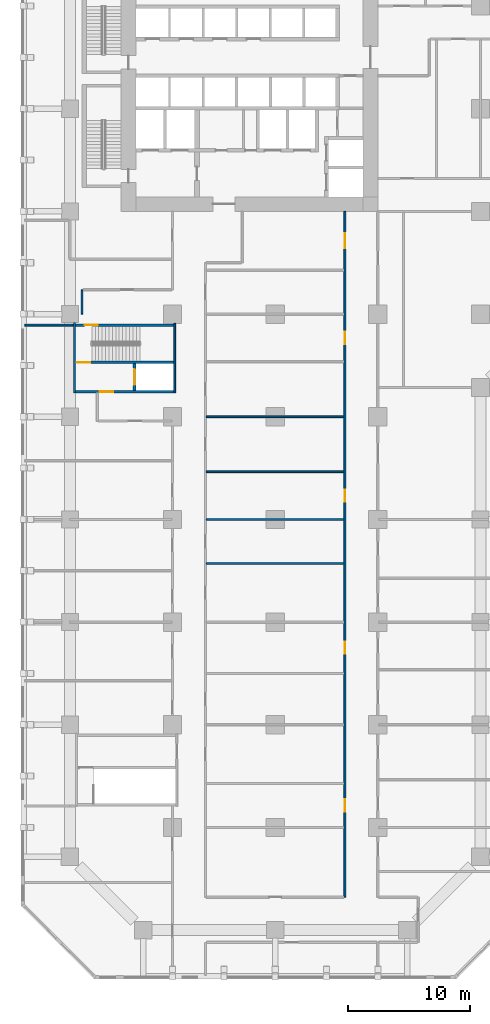
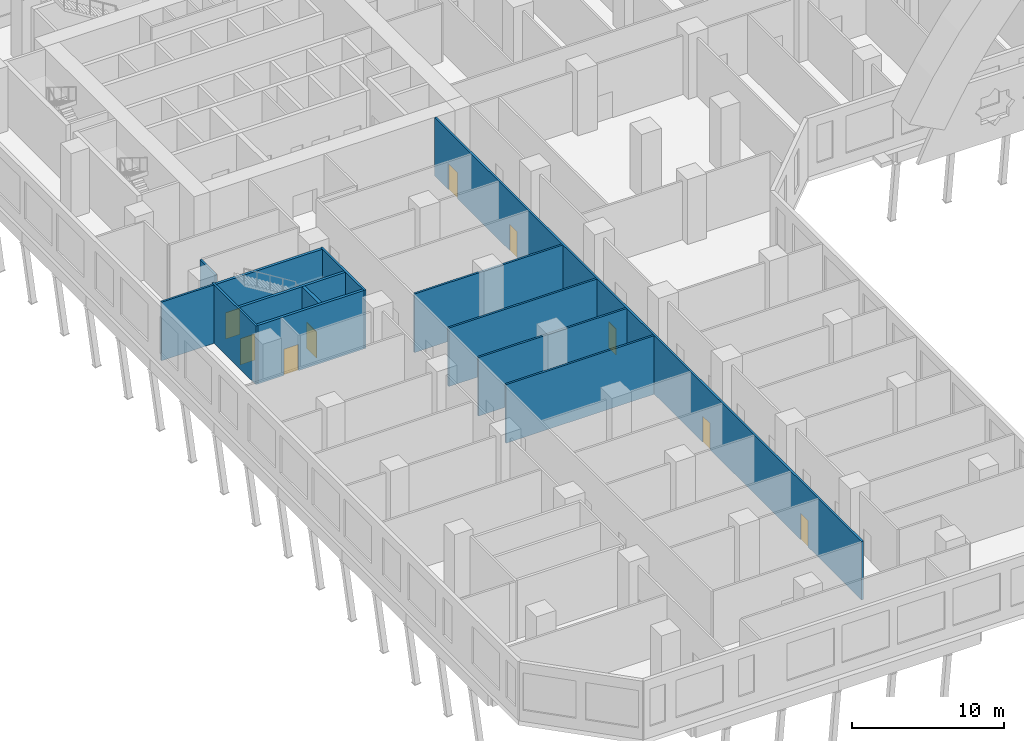
# One storey, part 7 of 25: 13 walls, 9 doors, 9 openings.
"""IFC4 building model written with IfcOpenShell, lengths in metres."""

from ifc_helpers import new_model, si_unit, direction, frame, frame_2d, origin, place, context, subcontext, project, spatial, rectangle, extrude, material, layer, layer_set, type_object, element, fill, save


model = new_model("IFC4")

# Units and contexts
model_context = context("Model", 3, precision=1e-05, world=origin(), true_north=direction((0.0, 1.0)))
body_context = subcontext(model_context, "Body", "Model", "MODEL_VIEW")
ifc_project = project(units=[si_unit("LENGTHUNIT", "METRE"), si_unit("AREAUNIT", "SQUARE_METRE"), si_unit("VOLUMEUNIT", "CUBIC_METRE"), si_unit("PLANEANGLEUNIT", "RADIAN"), si_unit("MASSUNIT", "GRAM", prefix="KILO")], contexts=[model_context])

# Site, building, storey
site_placement = place(None, origin())
site = spatial("IfcSite", under=ifc_project, at=site_placement, CompositionType="ELEMENT")
building_placement = place(site_placement, origin())
building = spatial("IfcBuilding", under=site, at=building_placement, Name="Kawkab Arch Medical Tower", CompositionType="ELEMENT")
storey_placement = place(building_placement, frame((0.0, 0.0, 29.0)))
storey = spatial("IfcBuildingStorey", under=building, at=storey_placement, Name="L06", CompositionType="ELEMENT", Elevation=29.0)

# Wall, opening, door
ifc_material_1 = material(Name="Concrete C60/75", Category="concrete")
ifc_layer_1 = layer(ifc_material_1, 0.25)
ifc_layer_set_1 = layer_set([ifc_layer_1], Name="Concrete C60/75")
wall_type_1 = type_object("IfcWallType", Name="Core shear wall 250 C60/75", PredefinedType="SHEAR", material=ifc_layer_set_1)
wall_1_placement = place(storey_placement, frame((5.300048828125, -39.85009765625, 0.0), z_axis=(0.0, 0.0, 1.0), x_axis=(0.0, 1.0, 0.0)))
wall_1 = element("IfcWall", 1, at=wall_1_placement, inside=storey, type_object=wall_type_1, Name="L06 core shear wall", PredefinedType="SHEAR", context=body_context, shape_type="SweptSolid", body=[
    extrude(rectangle(XDim=2.2001953125, YDim=0.25, at=frame_2d((1.10009765625, 0.0))), origin(), (0.0, 0.0, 1.0), 4.699951171875),
])
opening_1_placement = place(wall_1_placement, frame((0.449951171875, 0.0, 0.0)))
opening_1 = element("IfcOpeningElement", 2, at=opening_1_placement, cuts=wall_1, Name="Opening LD2", PredefinedType="OPENING", context=body_context, shape_type="SweptSolid", body=[
    extrude(rectangle(XDim=1.300048828125, YDim=2.10009765625, at=frame_2d((0.64990234375, 1.050048828125))), frame((0.0, 0.135009765625, 0.0), z_axis=(0.0, -1.0, 0.0), x_axis=(1.0, 0.0, 0.0)), (0.0, 0.0, 1.0), 0.27001953125),
])
ifc_material_2 = material(Name="Stainless steel lift door leaf", Category="steel")
door_type_1 = type_object("IfcDoorType", Name="Lift landing door 1300", OperationType="DOUBLE_DOOR_SLIDING", PredefinedType="DOOR", material=ifc_material_2)
door_1_placement = place(opening_1_placement, origin())
door_1 = element("IfcDoor", 3, at=door_1_placement, inside=storey, type_object=door_type_1, Name="L06 Lift landing door SV2", OperationType="DOUBLE_DOOR_SLIDING", OverallHeight=2.10009765625, OverallWidth=1.300048828125, PredefinedType="DOOR", context=body_context, shape_type="SweptSolid", body=[
    extrude(rectangle(XDim=1.300048828125, YDim=2.10009765625, at=frame_2d((0.64990234375, 1.050048828125))), frame((0.0, 0.02490234375, 0.0), z_axis=(0.0, -1.0, 0.0), x_axis=(1.0, 0.0, 0.0)), (0.0, 0.0, 1.0), 0.050048828125),
])
fill(opening_1, door_1)

# Walls
ifc_material_3 = material(Name="Gypsum board partition on steel studs, mineral wool", Category="steel")
ifc_layer_2 = layer(ifc_material_3, 0.14990234375)
ifc_layer_set_2 = layer_set([ifc_layer_2], Name="Gypsum board partition on steel studs, mineral wool")
wall_type_2 = type_object("IfcWallType", Name="Partition 150", PredefinedType="PARTITIONING", material=ifc_layer_set_2)
for number, where, z_axis, x_axis, name in (
    (4, (11.175048828125, -54.0, 0.0), (0.0, 0.0, 1.0), (1.0, 0.0, 0.0), "Partition 150 w025"),
    (5, (11.175048828125, -50.39990234375, 0.0), (0.0, 0.0, 1.0), (1.0, 0.0, 0.0), "Partition 150 w028"),
    (6, (11.175048828125, -46.5, 0.0), (0.0, 0.0, 1.0), (1.0, 0.0, 0.0), "Partition 150 w030"),
    (7, (11.175048828125, -42.0, 0.0), (0.0, 0.0, 1.0), (1.0, 0.0, 0.0), "Partition 150 w033"),
):
    element("IfcWall", number, at=place(storey_placement, frame(where, z_axis=z_axis, x_axis=x_axis)), inside=storey, type_object=wall_type_2, Name=name, PredefinedType="PARTITIONING", context=body_context, shape_type="SweptSolid", body=[
        extrude(rectangle(XDim=11.25, YDim=0.14990234375, at=frame_2d((5.625, 0.0))), origin(), (0.0, 0.0, 1.0), 4.699951171875),
    ])
wall_2_placement = place(storey_placement, frame((-3.679931640625, -34.5, 0.0), z_axis=(0.0, 0.0, 1.0), x_axis=(1.0, 0.0, 0.0)))
element("IfcWall", 8, at=wall_2_placement, inside=storey, type_object=wall_type_2, Name="Partition 150 w036", PredefinedType="PARTITIONING", context=body_context, shape_type="SweptSolid", body=[
    extrude(rectangle(XDim=3.949951171875, YDim=0.14990234375, at=frame_2d((1.97509765625, 0.0))), origin(), (0.0, 0.0, 1.0), 4.699951171875),
])
wall_3_placement = place(storey_placement, frame((1.0, -33.60009765625, 0.0), z_axis=(0.0, 0.0, 1.0), x_axis=(0.0, 1.0, 0.0)))
element("IfcWall", 9, at=wall_3_placement, inside=storey, type_object=wall_type_2, Name="Partition 150 w059", PredefinedType="PARTITIONING", context=body_context, shape_type="SweptSolid", body=[
    extrude(rectangle(XDim=1.989990234375, YDim=0.14990234375, at=frame_2d((0.9951171875, 0.0))), origin(), (0.0, 0.0, 1.0), 4.699951171875),
])

# Wall, openings, doors
wall_4_placement = place(storey_placement, frame((22.5, -81.300048828125, 0.0), z_axis=(0.0, 0.0, 1.0), x_axis=(0.0, 1.0, 0.0)))
wall_4 = element("IfcWall", 10, at=wall_4_placement, inside=storey, type_object=wall_type_2, Name="Partition 150 w067", PredefinedType="PARTITIONING", context=body_context, shape_type="SweptSolid", body=[
    extrude(rectangle(XDim=56.10009765625, YDim=0.14990234375, at=frame_2d((28.050048828125, 0.0))), origin(), (0.0, 0.0, 1.0), 4.699951171875),
])
opening_2_placement = place(wall_4_placement, frame((53.10009765625, 0.0, 0.0)))
opening_2 = element("IfcOpeningElement", 11, at=opening_2_placement, cuts=wall_4, Name="Opening P06-081", PredefinedType="OPENING", context=body_context, shape_type="SweptSolid", body=[
    extrude(rectangle(XDim=1.199951171875, YDim=2.10009765625, at=frame_2d((0.60009765625, 1.050048828125))), frame((0.0, 0.0849609375, 0.0), z_axis=(0.0, -1.0, 0.0), x_axis=(1.0, 0.0, 0.0)), (0.0, 0.0, 1.0), 0.169921875),
])
opening_3_placement = place(wall_4_placement, frame((45.25, 0.0, 0.0)))
opening_3 = element("IfcOpeningElement", 12, at=opening_3_placement, cuts=wall_4, Name="Opening P06-054", PredefinedType="OPENING", context=body_context, shape_type="SweptSolid", body=[
    extrude(rectangle(XDim=1.0, YDim=2.10009765625, at=frame_2d((0.5, 1.050048828125))), frame((0.0, 0.0849609375, 0.0), z_axis=(0.0, -1.0, 0.0), x_axis=(1.0, 0.0, 0.0)), (0.0, 0.0, 1.0), 0.169921875),
])
opening_4_placement = place(wall_4_placement, frame((32.35009765625, 0.0, 0.0)))
opening_4 = element("IfcOpeningElement", 13, at=opening_4_placement, cuts=wall_4, Name="Opening P06-057", PredefinedType="OPENING", context=body_context, shape_type="SweptSolid", body=[
    extrude(rectangle(XDim=1.0, YDim=2.10009765625, at=frame_2d((0.5, 1.050048828125))), frame((0.0, 0.0849609375, 0.0), z_axis=(0.0, -1.0, 0.0), x_axis=(1.0, 0.0, 0.0)), (0.0, 0.0, 1.0), 0.169921875),
])
opening_5_placement = place(wall_4_placement, frame((19.89990234375, 0.0, 0.0)))
opening_5 = element("IfcOpeningElement", 14, at=opening_5_placement, cuts=wall_4, Name="Opening P06-060", PredefinedType="OPENING", context=body_context, shape_type="SweptSolid", body=[
    extrude(rectangle(XDim=1.0, YDim=2.10009765625, at=frame_2d((0.5, 1.050048828125))), frame((0.0, 0.0849609375, 0.0), z_axis=(0.0, -1.0, 0.0), x_axis=(1.0, 0.0, 0.0)), (0.0, 0.0, 1.0), 0.169921875),
])
opening_6_placement = place(wall_4_placement, frame((7.0, 0.0, 0.0)))
opening_6 = element("IfcOpeningElement", 15, at=opening_6_placement, cuts=wall_4, Name="Opening P06-063", PredefinedType="OPENING", context=body_context, shape_type="SweptSolid", body=[
    extrude(rectangle(XDim=1.0, YDim=2.10009765625, at=frame_2d((0.5, 1.050048828125))), frame((0.0, 0.0849609375, 0.0), z_axis=(0.0, -1.0, 0.0), x_axis=(1.0, 0.0, 0.0)), (0.0, 0.0, 1.0), 0.169921875),
])
ifc_material_4 = material(Name="Hollow metal door leaf")
door_type_2 = type_object("IfcDoorType", Name="Single door 1000x2100 FD30S", OperationType="NOTDEFINED", PredefinedType="DOOR", material=ifc_material_4)
door_2_placement = place(opening_3_placement, origin())
door_2 = element("IfcDoor", 16, at=door_2_placement, inside=storey, type_object=door_type_2, Name="Door P06-054", OperationType="SINGLE_SWING_RIGHT", OverallHeight=2.10009765625, OverallWidth=1.0, PredefinedType="DOOR", context=body_context, shape_type="SweptSolid", body=[
    extrude(rectangle(XDim=1.0, YDim=2.10009765625, at=frame_2d((0.5, 1.050048828125))), frame((0.0, 0.02490234375, 0.0), z_axis=(0.0, -1.0, 0.0), x_axis=(1.0, 0.0, 0.0)), (0.0, 0.0, 1.0), 0.050048828125),
])
fill(opening_3, door_2)
door_3_placement = place(opening_4_placement, origin())
door_3 = element("IfcDoor", 17, at=door_3_placement, inside=storey, type_object=door_type_2, Name="Door P06-057", OperationType="SINGLE_SWING_RIGHT", OverallHeight=2.10009765625, OverallWidth=1.0, PredefinedType="DOOR", context=body_context, shape_type="SweptSolid", body=[
    extrude(rectangle(XDim=1.0, YDim=2.10009765625, at=frame_2d((0.5, 1.050048828125))), frame((0.0, 0.02490234375, 0.0), z_axis=(0.0, -1.0, 0.0), x_axis=(1.0, 0.0, 0.0)), (0.0, 0.0, 1.0), 0.050048828125),
])
fill(opening_4, door_3)
door_4_placement = place(opening_5_placement, origin())
door_4 = element("IfcDoor", 18, at=door_4_placement, inside=storey, type_object=door_type_2, Name="Door P06-060", OperationType="SINGLE_SWING_LEFT", OverallHeight=2.10009765625, OverallWidth=1.0, PredefinedType="DOOR", context=body_context, shape_type="SweptSolid", body=[
    extrude(rectangle(XDim=1.0, YDim=2.10009765625, at=frame_2d((0.5, 1.050048828125))), frame((0.0, 0.02490234375, 0.0), z_axis=(0.0, -1.0, 0.0), x_axis=(1.0, 0.0, 0.0)), (0.0, 0.0, 1.0), 0.050048828125),
])
fill(opening_5, door_4)
door_5_placement = place(opening_6_placement, origin())
door_5 = element("IfcDoor", 19, at=door_5_placement, inside=storey, type_object=door_type_2, Name="Door P06-063", OperationType="SINGLE_SWING_LEFT", OverallHeight=2.10009765625, OverallWidth=1.0, PredefinedType="DOOR", context=body_context, shape_type="SweptSolid", body=[
    extrude(rectangle(XDim=1.0, YDim=2.10009765625, at=frame_2d((0.5, 1.050048828125))), frame((0.0, 0.02490234375, 0.0), z_axis=(0.0, -1.0, 0.0), x_axis=(1.0, 0.0, 0.0)), (0.0, 0.0, 1.0), 0.050048828125),
])
fill(opening_6, door_5)
ifc_material_5 = material(Name="Hollow metal door leaf")
door_type_3 = type_object("IfcDoorType", Name="Single door 1200x2100 FD30S", OperationType="NOTDEFINED", PredefinedType="DOOR", material=ifc_material_5)
door_6_placement = place(opening_2_placement, origin())
door_6 = element("IfcDoor", 20, at=door_6_placement, inside=storey, type_object=door_type_3, Name="Door P06-081", OperationType="SINGLE_SWING_RIGHT", OverallHeight=2.10009765625, OverallWidth=1.199951171875, PredefinedType="DOOR", context=body_context, shape_type="SweptSolid", body=[
    extrude(rectangle(XDim=1.199951171875, YDim=2.10009765625, at=frame_2d((0.60009765625, 1.050048828125))), frame((0.0, 0.02490234375, 0.0), z_axis=(0.0, -1.0, 0.0), x_axis=(1.0, 0.0, 0.0)), (0.0, 0.0, 1.0), 0.050048828125),
])
fill(opening_2, door_6)

# Walls
ifc_material_6 = material(Name="Concrete C50/60", Category="concrete")
ifc_layer_3 = layer(ifc_material_6, 0.14990234375)
ifc_layer_set_3 = layer_set([ifc_layer_3], Name="Concrete C50/60")
wall_type_3 = type_object("IfcWallType", Name="Stair enclosure wall 150 C50/60", PredefinedType="SHEAR", material=ifc_layer_set_3)
wall_5_placement = place(storey_placement, frame((0.375, -40.050048828125, 0.0), z_axis=(0.0, 0.0, 1.0), x_axis=(0.0, 1.0, 0.0)))
element("IfcWall", 21, at=wall_5_placement, inside=storey, type_object=wall_type_3, Name="L06 stair enclosure wall", PredefinedType="SHEAR", context=body_context, shape_type="SweptSolid", body=[
    extrude(rectangle(XDim=5.75, YDim=0.14990234375, at=frame_2d((2.875, 0.0))), origin(), (0.0, 0.0, 1.0), 4.699951171875),
])
wall_6_placement = place(storey_placement, frame((8.574951171875, -40.050048828125, 0.0), z_axis=(0.0, 0.0, 1.0), x_axis=(0.0, 1.0, 0.0)))
element("IfcWall", 22, at=wall_6_placement, inside=storey, type_object=wall_type_3, Name="L06 stair enclosure wall", PredefinedType="SHEAR", context=body_context, shape_type="SweptSolid", body=[
    extrude(rectangle(XDim=5.699951171875, YDim=0.14990234375, at=frame_2d((2.85009765625, 0.0))), origin(), (0.0, 0.0, 1.0), 4.699951171875),
])

# Wall, opening, door
ifc_material_7 = material(Name="Concrete C50/60", Category="concrete")
ifc_layer_4 = layer(ifc_material_7, 0.199951171875)
ifc_layer_set_4 = layer_set([ifc_layer_4], Name="Concrete C50/60")
wall_type_4 = type_object("IfcWallType", Name="Stair enclosure wall 200 C50/60", PredefinedType="SHEAR", material=ifc_layer_set_4)
wall_7_placement = place(storey_placement, frame((0.449951171875, -34.5, 0.0), z_axis=(0.0, 0.0, 1.0), x_axis=(1.0, 0.0, 0.0)))
wall_7 = element("IfcWall", 23, at=wall_7_placement, inside=storey, type_object=wall_type_4, Name="L06 stair enclosure wall", PredefinedType="SHEAR", context=body_context, shape_type="SweptSolid", body=[
    extrude(rectangle(XDim=8.050048828125, YDim=0.199951171875, at=frame_2d((4.02490234375, 0.0))), origin(), (0.0, 0.0, 1.0), 4.699951171875),
])
opening_7_placement = place(wall_7_placement, frame((0.75, 0.0, 0.0)))
opening_7 = element("IfcOpeningElement", 24, at=opening_7_placement, cuts=wall_7, Name="Opening SD", PredefinedType="OPENING", context=body_context, shape_type="SweptSolid", body=[
    extrude(rectangle(XDim=1.10009765625, YDim=2.10009765625, at=frame_2d((0.550048828125, 1.050048828125))), frame((0.0, 0.10986328125, 0.0), z_axis=(0.0, -1.0, 0.0), x_axis=(1.0, 0.0, 0.0)), (0.0, 0.0, 1.0), 0.219970703125),
])
ifc_material_8 = material(Name="Hollow metal fire door leaf")
door_type_4 = type_object("IfcDoorType", Name="Exit stair door 1100", OperationType="SINGLE_SWING_LEFT", PredefinedType="DOOR", material=ifc_material_8)
door_7_placement = place(opening_7_placement, origin())
door_7 = element("IfcDoor", 25, at=door_7_placement, inside=storey, type_object=door_type_4, Name="L06 Exit stair ST6 door", OperationType="SINGLE_SWING_LEFT", OverallHeight=2.10009765625, OverallWidth=1.10009765625, PredefinedType="DOOR", context=body_context, shape_type="SweptSolid", body=[
    extrude(rectangle(XDim=1.10009765625, YDim=2.10009765625, at=frame_2d((0.550048828125, 1.050048828125))), frame((0.0, 0.02490234375, 0.0), z_axis=(0.0, -1.0, 0.0), x_axis=(1.0, 0.0, 0.0)), (0.0, 0.0, 1.0), 0.050048828125),
])
fill(opening_7, door_7)

wall_8_placement = place(storey_placement, frame((0.449951171875, -37.550048828125, 0.0), z_axis=(0.0, 0.0, 1.0), x_axis=(1.0, 0.0, 0.0)))
wall_8 = element("IfcWall", 26, at=wall_8_placement, inside=storey, type_object=wall_type_4, Name="L06 stair enclosure wall", PredefinedType="SHEAR", context=body_context, shape_type="SweptSolid", body=[
    extrude(rectangle(XDim=8.050048828125, YDim=0.199951171875, at=frame_2d((4.02490234375, 0.0))), origin(), (0.0, 0.0, 1.0), 4.699951171875),
])
opening_8_placement = place(wall_8_placement, frame((0.10009765625, 0.0, 0.0)))
opening_8 = element("IfcOpeningElement", 27, at=opening_8_placement, cuts=wall_8, Name="Opening SD", PredefinedType="OPENING", context=body_context, shape_type="SweptSolid", body=[
    extrude(rectangle(XDim=1.10009765625, YDim=2.10009765625, at=frame_2d((0.550048828125, 1.050048828125))), frame((0.0, 0.10986328125, 0.0), z_axis=(0.0, -1.0, 0.0), x_axis=(1.0, 0.0, 0.0)), (0.0, 0.0, 1.0), 0.219970703125),
])
door_8_placement = place(opening_8_placement, frame((1.10009765625, 0.0, 0.0), z_axis=(0.0, 0.0, 1.0), x_axis=(-1.0, 0.0, 0.0)))
door_8 = element("IfcDoor", 28, at=door_8_placement, inside=storey, type_object=door_type_4, Name="L06 Exit stair ST6 lobby door", OperationType="SINGLE_SWING_LEFT", OverallHeight=2.10009765625, OverallWidth=1.10009765625, PredefinedType="DOOR", context=body_context, shape_type="SweptSolid", body=[
    extrude(rectangle(XDim=1.10009765625, YDim=2.10009765625, at=frame_2d((0.550048828125, 1.050048828125))), frame((0.0, 0.02490234375, 0.0), z_axis=(0.0, -1.0, 0.0), x_axis=(1.0, 0.0, 0.0)), (0.0, 0.0, 1.0), 0.050048828125),
])
fill(opening_8, door_8)

wall_9_placement = place(storey_placement, frame((0.449951171875, -39.949951171875, 0.0), z_axis=(0.0, 0.0, 1.0), x_axis=(1.0, 0.0, 0.0)))
wall_9 = element("IfcWall", 29, at=wall_9_placement, inside=storey, type_object=wall_type_4, Name="L06 stair enclosure wall", PredefinedType="SHEAR", context=body_context, shape_type="SweptSolid", body=[
    extrude(rectangle(XDim=8.050048828125, YDim=0.199951171875, at=frame_2d((4.02490234375, 0.0))), origin(), (0.0, 0.0, 1.0), 4.699951171875),
])
opening_9_placement = place(wall_9_placement, frame((2.0, 0.0, 0.0)))
opening_9 = element("IfcOpeningElement", 30, at=opening_9_placement, cuts=wall_9, Name="Opening FD", PredefinedType="OPENING", context=body_context, shape_type="SweptSolid", body=[
    extrude(rectangle(XDim=1.10009765625, YDim=2.10009765625, at=frame_2d((0.550048828125, 1.050048828125))), frame((0.0, 0.10986328125, 0.0), z_axis=(0.0, -1.0, 0.0), x_axis=(1.0, 0.0, 0.0)), (0.0, 0.0, 1.0), 0.219970703125),
])
ifc_material_9 = material(Name="Hollow metal fire door leaf")
door_type_5 = type_object("IfcDoorType", Name="Firefighting lobby door 1100", OperationType="SINGLE_SWING_LEFT", PredefinedType="DOOR", material=ifc_material_9)
door_9_placement = place(opening_9_placement, origin())
door_9 = element("IfcDoor", 31, at=door_9_placement, inside=storey, type_object=door_type_5, Name="L06 Service lift lobby door SV2", OperationType="SINGLE_SWING_LEFT", OverallHeight=2.10009765625, OverallWidth=1.10009765625, PredefinedType="DOOR", context=body_context, shape_type="SweptSolid", body=[
    extrude(rectangle(XDim=1.10009765625, YDim=2.10009765625, at=frame_2d((0.550048828125, 1.050048828125))), frame((0.0, 0.02490234375, 0.0), z_axis=(0.0, -1.0, 0.0), x_axis=(1.0, 0.0, 0.0)), (0.0, 0.0, 1.0), 0.050048828125),
])
fill(opening_9, door_9)

save(model, "model.ifc")
